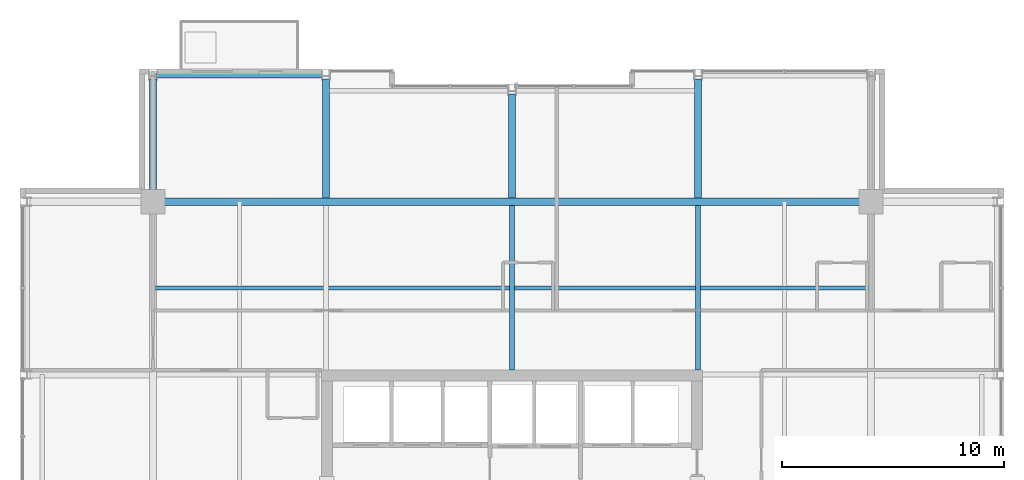
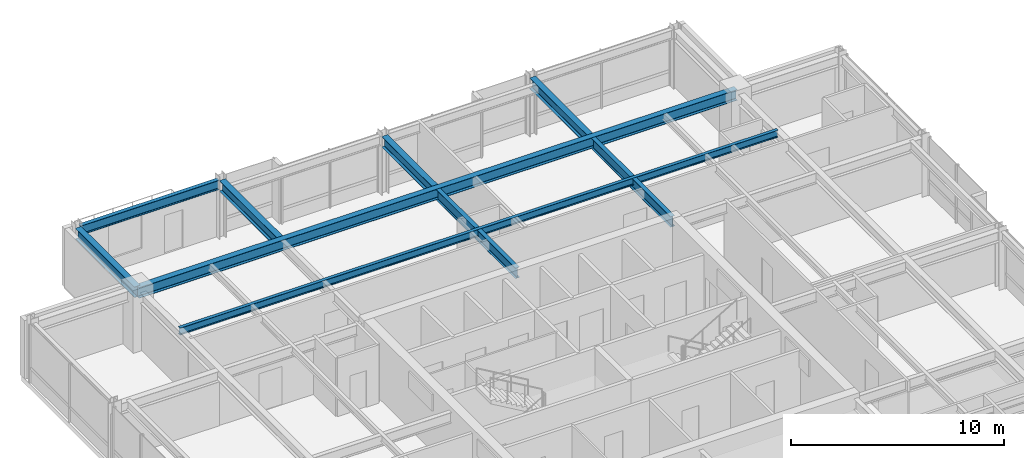
# One storey, part 19 of 31: 9 beams.
"""IFC4 building model written with IfcOpenShell, lengths in metres."""

from ifc_helpers import new_model, si_unit, direction, frame, origin, origin_2d, place, context, subcontext, project, spatial, i_section, extrude, material, material_profile, profile_set, type_object, element, save


model = new_model("IFC4")

# Units and contexts
model_context = context("Model", 3, precision=1e-05, world=origin(), true_north=direction((0.0, 1.0)))
body_context = subcontext(model_context, "Body", "Model", "MODEL_VIEW")
ifc_project = project(units=[si_unit("LENGTHUNIT", "METRE"), si_unit("AREAUNIT", "SQUARE_METRE"), si_unit("VOLUMEUNIT", "CUBIC_METRE"), si_unit("PLANEANGLEUNIT", "RADIAN"), si_unit("MASSUNIT", "GRAM", prefix="KILO")], contexts=[model_context])

# Site, building, storey
site_placement = place(None, origin())
site = spatial("IfcSite", under=ifc_project, at=site_placement, CompositionType="ELEMENT")
building_placement = place(site_placement, origin())
building = spatial("IfcBuilding", under=site, at=building_placement, Name="Drelvath Grand Hotel", CompositionType="ELEMENT")
storey_placement = place(building_placement, frame((0.0, 0.0, 219.5)))
storey = spatial("IfcBuildingStorey", under=building, at=storey_placement, Name="L57", CompositionType="ELEMENT", Elevation=219.5)

# Beams
ifc_material = material(Name="Steel ASTM A992 Gr 50", Category="steel")
ifc_material_profile_1 = material_profile(ifc_material, i_section(OverallWidth=0.177734375, OverallDepth=0.40673828125, WebThickness=0.0078125, FlangeThickness=0.0126953125, FilletRadius=0.014892578125, at=origin_2d()), Name="W16X40")
ifc_profile_set_1 = profile_set([ifc_material_profile_1], Name="Steel ASTM A992 Gr 50")
beam_type_1 = type_object("IfcBeamType", Name="Composite Floor Joist W16X40", PredefinedType="JOIST", material=ifc_profile_set_1)
beam_1_placement = place(storey_placement, frame((-16.199951171875, 39.300048828125, 3.13671875), z_axis=(1.0, 0.0, 0.0), x_axis=(0.0, 1.0, 0.0)))
element("IfcBeam", 1, at=beam_1_placement, inside=storey, type_object=beam_type_1, Name="L57 Floor Joist J2", PredefinedType="JOIST", context=body_context, shape_type="SweptSolid", body=[
    extrude(i_section(OverallWidth=0.177734375, OverallDepth=0.40673828125, WebThickness=0.0078125, FlangeThickness=0.0126953125, FilletRadius=0.014892578125, at=origin_2d()), origin(), (0.0, 0.0, 1.0), 32.39990234375),
])
ifc_material_profile_2 = material_profile(ifc_material, i_section(OverallWidth=0.210205078125, OverallDepth=0.53662109375, WebThickness=0.010986328125, FlangeThickness=0.017333984375, FilletRadius=0.01806640625, at=origin_2d()), Name="W21X68")
ifc_profile_set_2 = profile_set([ifc_material_profile_2], Name="Steel ASTM A992 Gr 50")
beam_type_2 = type_object("IfcBeamType", Name="Perimeter Spandrel Beam W21X68", PredefinedType="SPANDREL", material=ifc_profile_set_2)
beam_2_placement = place(storey_placement, frame((-16.06005859375, 48.8798828125, 3.07177734375), z_axis=(1.0, 0.0, 0.0), x_axis=(0.0, 1.0, 0.0)))
element("IfcBeam", 2, at=beam_2_placement, inside=storey, type_object=beam_type_2, Name="L57 Spandrel North W", PredefinedType="SPANDREL", context=body_context, shape_type="SweptSolid", body=[
    extrude(i_section(OverallWidth=0.210205078125, OverallDepth=0.53662109375, WebThickness=0.010986328125, FlangeThickness=0.017333984375, FilletRadius=0.01806640625, at=origin_2d()), origin(), (0.0, 0.0, 1.0), 7.52001953125),
])
ifc_material_profile_3 = material_profile(ifc_material, i_section(OverallWidth=0.323974609375, OverallDepth=0.611083984375, WebThickness=0.0126953125, FlangeThickness=0.01904296875, FilletRadius=0.02197265625, at=origin_2d()), Name="W24X104")
ifc_profile_set_3 = profile_set([ifc_material_profile_3], Name="Steel ASTM A992 Gr 50")
beam_type_3 = type_object("IfcBeamType", Name="Primary Floor Girder W24X104", PredefinedType="BEAM", material=ifc_profile_set_3)
beam_3_placement = place(storey_placement, frame((-16.199951171875, 43.199951171875, 3.034423828125), z_axis=(1.0, 0.0, 0.0), x_axis=(0.0, 1.0, 0.0)))
element("IfcBeam", 3, at=beam_3_placement, inside=storey, type_object=beam_type_3, Name="L57 Mega Ring Girder North", PredefinedType="BEAM", context=body_context, shape_type="SweptSolid", body=[
    extrude(i_section(OverallWidth=0.323974609375, OverallDepth=0.611083984375, WebThickness=0.0126953125, FlangeThickness=0.01904296875, FilletRadius=0.02197265625, at=origin_2d()), origin(), (0.0, 0.0, 1.0), 32.39990234375),
])
beam_4_placement = place(storey_placement, frame((-16.199951171875, 43.199951171875, 3.034423828125), z_axis=(0.0, 1.0, 0.0), x_axis=(-1.0, 0.0, 0.0)))
element("IfcBeam", 4, at=beam_4_placement, inside=storey, type_object=beam_type_3, Name="L57 North Grid Girder 3", PredefinedType="BEAM", context=body_context, shape_type="SweptSolid", body=[
    extrude(i_section(OverallWidth=0.323974609375, OverallDepth=0.611083984375, WebThickness=0.0126953125, FlangeThickness=0.01904296875, FilletRadius=0.02197265625, at=origin_2d()), origin(), (0.0, 0.0, 1.0), 5.5400390625),
])
beam_5_placement = place(storey_placement, frame((-8.39990234375, 43.362060546875, 3.034423828125), z_axis=(0.0, 1.0, 0.0), x_axis=(-1.0, 0.0, 0.0)))
element("IfcBeam", 5, at=beam_5_placement, inside=storey, type_object=beam_type_3, Name="L57 North Wing Girder 4", PredefinedType="BEAM", context=body_context, shape_type="SweptSolid", body=[
    extrude(i_section(OverallWidth=0.323974609375, OverallDepth=0.611083984375, WebThickness=0.0126953125, FlangeThickness=0.01904296875, FilletRadius=0.02197265625, at=origin_2d()), origin(), (0.0, 0.0, 1.0), 5.3779296875),
])
beam_6_placement = place(storey_placement, frame((0.0, 43.362060546875, 3.034423828125), z_axis=(0.0, 1.0, 0.0), x_axis=(-1.0, 0.0, 0.0)))
element("IfcBeam", 6, at=beam_6_placement, inside=storey, type_object=beam_type_3, Name="L57 North Wing Girder 5", PredefinedType="BEAM", context=body_context, shape_type="SweptSolid", body=[
    extrude(i_section(OverallWidth=0.323974609375, OverallDepth=0.611083984375, WebThickness=0.0126953125, FlangeThickness=0.01904296875, FilletRadius=0.02197265625, at=origin_2d()), origin(), (0.0, 0.0, 1.0), 4.697998046875),
])
beam_7_placement = place(storey_placement, frame((8.39990234375, 43.362060546875, 3.034423828125), z_axis=(0.0, 1.0, 0.0), x_axis=(-1.0, 0.0, 0.0)))
element("IfcBeam", 7, at=beam_7_placement, inside=storey, type_object=beam_type_3, Name="L57 North Wing Girder 6", PredefinedType="BEAM", context=body_context, shape_type="SweptSolid", body=[
    extrude(i_section(OverallWidth=0.323974609375, OverallDepth=0.611083984375, WebThickness=0.0126953125, FlangeThickness=0.01904296875, FilletRadius=0.02197265625, at=origin_2d()), origin(), (0.0, 0.0, 1.0), 5.3779296875),
])
ifc_material_profile_4 = material_profile(ifc_material, i_section(OverallWidth=0.228271484375, OverallDepth=0.607666015625, WebThickness=0.01123046875, FlangeThickness=0.017333984375, FilletRadius=0.02001953125, at=origin_2d()), Name="W24X76")
ifc_profile_set_4 = profile_set([ifc_material_profile_4], Name="Steel ASTM A992 Gr 50")
beam_type_4 = type_object("IfcBeamType", Name="Primary Floor Girder W24X76", PredefinedType="BEAM", material=ifc_profile_set_4)
for number, where, z_axis, x_axis, name in (
    (8, (0.0, 35.60009765625, 3.0361328125), (0.0, 1.0, 0.0), (-1.0, 0.0, 0.0), "L57 North Core Tie 5"),
    (9, (8.39990234375, 35.60009765625, 3.0361328125), (0.0, 1.0, 0.0), (-1.0, 0.0, 0.0), "L57 North Core Tie 6"),
):
    element("IfcBeam", number, at=place(storey_placement, frame(where, z_axis=z_axis, x_axis=x_axis)), inside=storey, type_object=beam_type_4, Name=name, PredefinedType="BEAM", context=body_context, shape_type="SweptSolid", body=[
        extrude(i_section(OverallWidth=0.228271484375, OverallDepth=0.607666015625, WebThickness=0.01123046875, FlangeThickness=0.017333984375, FilletRadius=0.02001953125, at=origin_2d()), origin(), (0.0, 0.0, 1.0), 7.43798828125),
    ])

save(model, "model.ifc")
